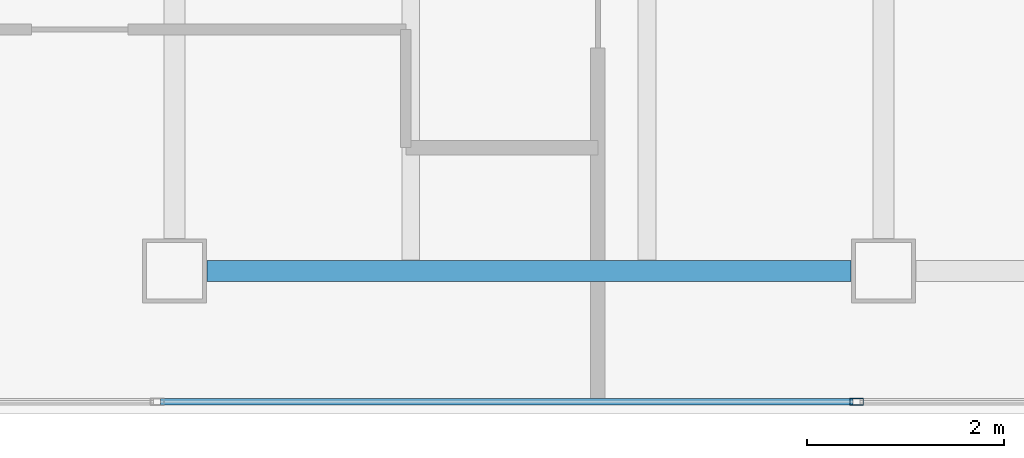
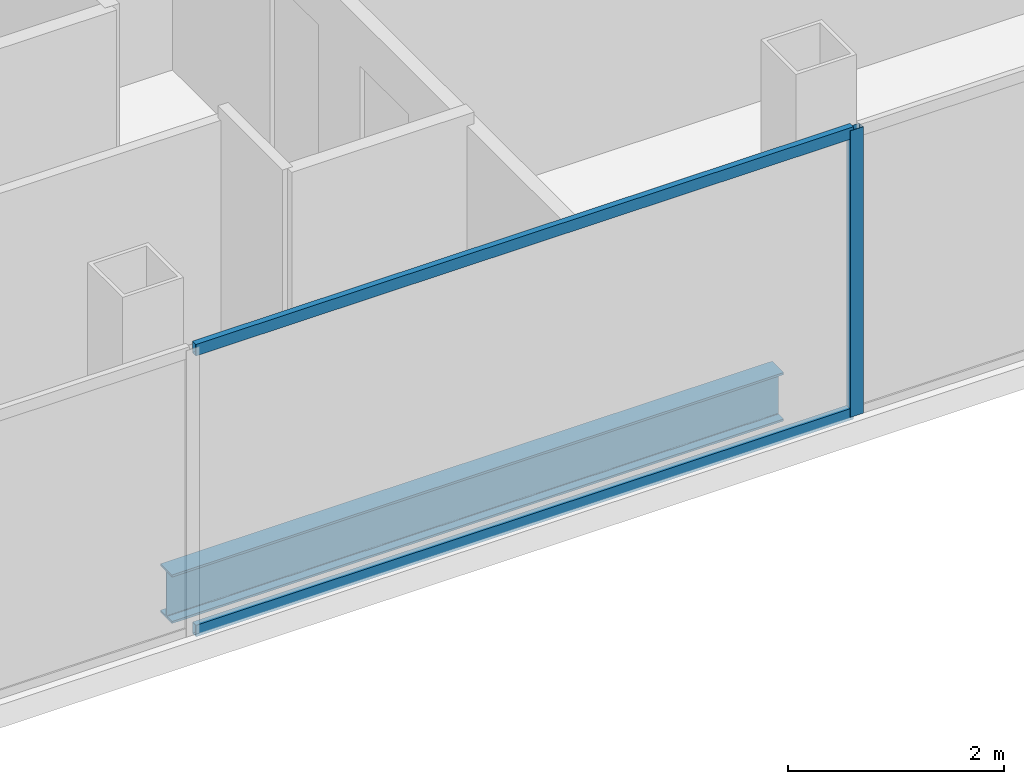
# One storey, part 6 of 24: 3 members, 1 beam, 1 element without a shape of its own.
"""IFC4 building model written with IfcOpenShell, lengths in metres."""

from ifc_helpers import new_model, si_unit, direction, frame, origin, origin_2d, place, context, subcontext, project, spatial, hollow_rectangle, i_section, extrude, material, material_profile, profile_set, type_object, element, aggregate, save


model = new_model("IFC4")

# Units and contexts
model_context = context("Model", 3, precision=1e-05, world=origin(), true_north=direction((0.0, 1.0)))
body_context = subcontext(model_context, "Body", "Model", "MODEL_VIEW")
ifc_project = project(units=[si_unit("LENGTHUNIT", "METRE"), si_unit("AREAUNIT", "SQUARE_METRE"), si_unit("VOLUMEUNIT", "CUBIC_METRE"), si_unit("PLANEANGLEUNIT", "RADIAN"), si_unit("MASSUNIT", "GRAM", prefix="KILO")], contexts=[model_context])

# Site, building, storey
site_placement = place(None, origin())
site = spatial("IfcSite", under=ifc_project, at=site_placement, CompositionType="ELEMENT")
building_placement = place(site_placement, origin())
building = spatial("IfcBuilding", under=site, at=building_placement, Name="Cobrela Telecom Tower", CompositionType="ELEMENT")
storey_placement = place(building_placement, frame((0.0, 0.0, 248.14990234375)))
storey = spatial("IfcBuildingStorey", under=building, at=storey_placement, Name="L64", CompositionType="ELEMENT", Elevation=248.14990234375)

# Beam
ifc_material_1 = material(Name="Steel ASTM A992 Grade 50", Category="steel")
ifc_material_profile_1 = material_profile(ifc_material_1, i_section(OverallWidth=0.212890625, OverallDepth=0.549072265625, WebThickness=0.0146484375, FlangeThickness=0.023681640625, FilletRadius=0.013916015625, at=origin_2d()), Name="W21X93")
ifc_profile_set_1 = profile_set([ifc_material_profile_1], Name="Steel ASTM A992 Grade 50")
beam_type = type_object("IfcBeamType", Name="BM-GIRD-08", PredefinedType="USERDEFINED", material=ifc_profile_set_1)
beam_placement = place(storey_placement, frame((21.929931640625, 7.85009765625, -0.534423828125), z_axis=(1.0, 0.0, 0.0), x_axis=(0.0, 1.0, 0.0)))
element("IfcBeam", 1, at=beam_placement, inside=storey, type_object=beam_type, Name="L64 Primary Girder X03", ObjectType="GIRDER", PredefinedType="USERDEFINED", context=body_context, shape_type="SweptSolid", body=[
    extrude(i_section(OverallWidth=0.212890625, OverallDepth=0.549072265625, WebThickness=0.0146484375, FlangeThickness=0.023681640625, FilletRadius=0.013916015625, at=origin_2d()), origin(), (0.0, 0.0, 1.0), 6.5400390625),
])

# Curtain wall, members
ifc_material_2 = material(Name="Anodized Bronze Aluminium 6063-T6", Category="aluminium")
curtain_wall_type = type_object("IfcCurtainWallType", Name="CW-SYS-OFF-HI", PredefinedType="USERDEFINED", material=ifc_material_2)
curtain_wall_placement = place(storey_placement, origin())
curtain_wall = element("IfcCurtainWall", 2, at=curtain_wall_placement, inside=storey, type_object=curtain_wall_type, Name="L64 Unitised Bronze Curtain Wall 15", ObjectType="UNITISED CURTAIN WALL", PredefinedType="USERDEFINED")
ifc_material_profile_2 = material_profile(ifc_material_2, hollow_rectangle(XDim=0.070068359375, YDim=0.139892578125, WallThickness=0.00390625, at=origin_2d()), Name="ALU 70x140x4")
ifc_profile_set_2 = profile_set([ifc_material_profile_2], Name="Anodized Bronze Aluminium 6063-T6")
member_type_1 = type_object("IfcMemberType", Name="CW-SYS-OFF-HI-MUL", PredefinedType="MULLION", material=ifc_profile_set_2)
member_1_placement = place(storey_placement, frame((28.526611328125, 6.52001953125, 0.0), z_axis=(0.0, 0.0, 1.0), x_axis=(0.0, -1.0, 0.0)))
member_1 = element("IfcMember", 3, at=member_1_placement, type_object=member_type_1, Name="CW-OFF-HI mullion 3", PredefinedType="MULLION", context=body_context, shape_type="SweptSolid", body=[
    extrude(hollow_rectangle(XDim=0.070068359375, YDim=0.139892578125, WallThickness=0.00390625, at=origin_2d()), origin(), (0.0, 0.0, 1.0), 3.239990234375),
])
ifc_material_profile_3 = material_profile(ifc_material_2, hollow_rectangle(XDim=0.06494140625, YDim=0.1298828125, WallThickness=0.00390625, at=origin_2d()), Name="ALU 65x130x4")
ifc_profile_set_3 = profile_set([ifc_material_profile_3], Name="Anodized Bronze Aluminium 6063-T6")
member_type_2 = type_object("IfcMemberType", Name="CW-SYS-OFF-HI-TRN", PredefinedType="USERDEFINED", material=ifc_profile_set_3)
member_2_placement = place(storey_placement, frame((28.49169921875, 6.52001953125, 0.03271484375), z_axis=(-1.0, 0.0, 0.0), x_axis=(0.0, -1.0, 0.0)))
member_2 = element("IfcMember", 4, at=member_2_placement, type_object=member_type_2, Name="CW-OFF-HI transom 3.1", ObjectType="TRANSOM", PredefinedType="USERDEFINED", context=body_context, shape_type="SweptSolid", body=[
    extrude(hollow_rectangle(XDim=0.06494140625, YDim=0.1298828125, WallThickness=0.00390625, at=origin_2d()), origin(), (0.0, 0.0, 1.0), 7.03173828125),
])
member_3_placement = place(storey_placement, frame((28.49169921875, 6.52001953125, 3.20751953125), z_axis=(-1.0, 0.0, 0.0), x_axis=(0.0, -1.0, 0.0)))
member_3 = element("IfcMember", 5, at=member_3_placement, type_object=member_type_2, Name="CW-OFF-HI transom 3.2", ObjectType="TRANSOM", PredefinedType="USERDEFINED", context=body_context, shape_type="SweptSolid", body=[
    extrude(hollow_rectangle(XDim=0.06494140625, YDim=0.1298828125, WallThickness=0.00390625, at=origin_2d()), origin(), (0.0, 0.0, 1.0), 7.03173828125),
])
aggregate(curtain_wall, [member_1, member_2, member_3])

save(model, "model.ifc")
